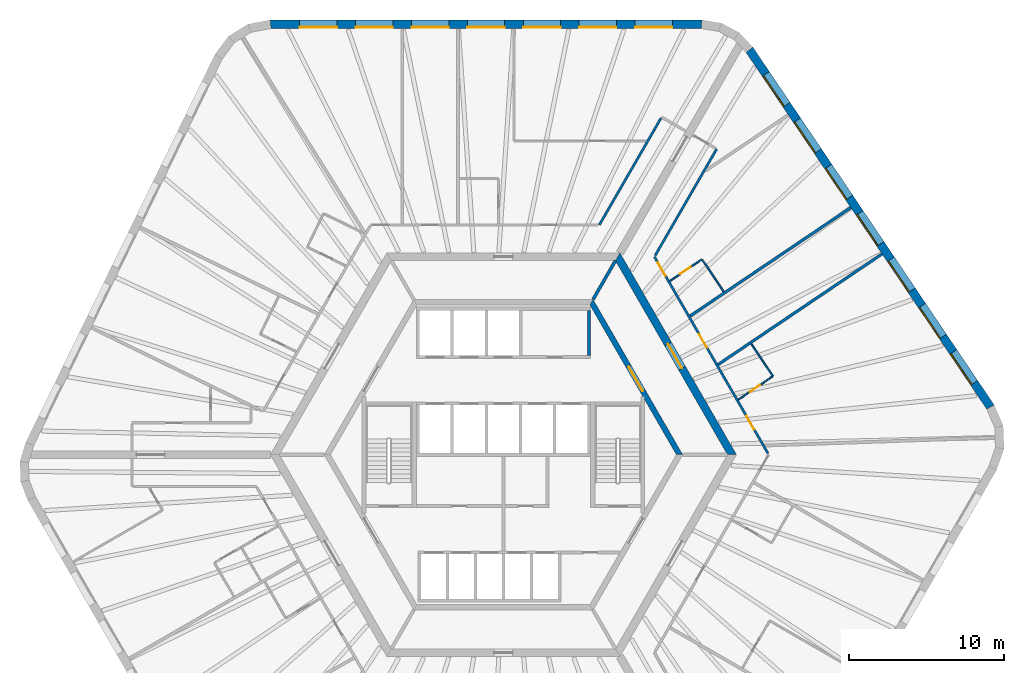
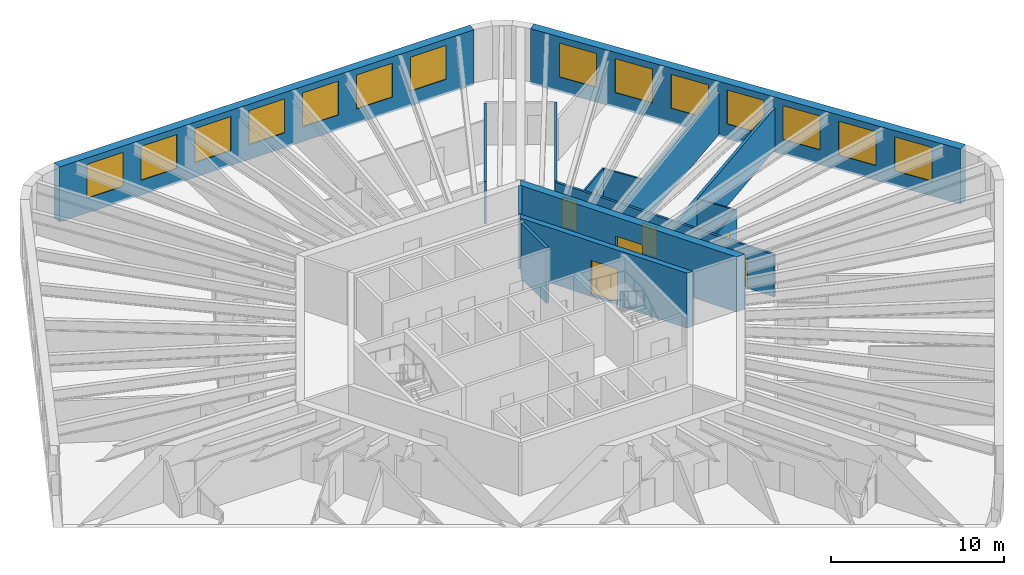
# One storey, part 8 of 10: 15 walls, 14 windows, 7 doors, 21 openings.
"""IFC4 building model written with IfcOpenShell, lengths in metres."""

from ifc_helpers import new_model, si_unit, direction, frame, frame_2d, origin, place, context, subcontext, project, spatial, polyline, rectangle, outline, extrude, material, layer, layer_set, type_object, element, fill, save


model = new_model("IFC4")

# Units and contexts
model_context = context("Model", 3, precision=1e-05, world=origin(), true_north=direction((0.0, 1.0)))
body_context = subcontext(model_context, "Body", "Model", "MODEL_VIEW")
ifc_project = project(units=[si_unit("LENGTHUNIT", "METRE"), si_unit("AREAUNIT", "SQUARE_METRE"), si_unit("VOLUMEUNIT", "CUBIC_METRE"), si_unit("PLANEANGLEUNIT", "RADIAN"), si_unit("MASSUNIT", "GRAM", prefix="KILO")], contexts=[model_context])

# Site, building, storey
site_placement = place(None, origin())
site = spatial("IfcSite", under=ifc_project, at=site_placement, CompositionType="ELEMENT")
building_placement = place(site_placement, origin())
building = spatial("IfcBuilding", under=site, at=building_placement, Name="Tarnside Tower", CompositionType="ELEMENT")
storey_placement = place(building_placement, frame((0.0, 0.0, 230.699951171875)))
storey = spatial("IfcBuildingStorey", under=building, at=storey_placement, Name="L55", CompositionType="ELEMENT", Elevation=230.699951171875)

# Wall
ifc_material_1 = material(Name="Gypsum board partition on steel studs", Category="steel")
ifc_layer_1 = layer(ifc_material_1, 0.10009765625)
ifc_layer_set_1 = layer_set([ifc_layer_1], Name="Bathroom wall 100")
wall_type_1 = type_object("IfcWallType", Name="Bathroom wall 100", PredefinedType="PARTITIONING", material=ifc_layer_set_1)
wall_1_placement = place(storey_placement, frame((15.9609375, 7.1376953125, 0.0), z_axis=(0.0, 0.0, 1.0), x_axis=(0.559158770347, -0.829060594615, 0.0)))
element("IfcWall", 1, at=wall_1_placement, inside=storey, type_object=wall_type_1, Name="Bathroom wall 18099", PredefinedType="PARTITIONING", context=body_context, shape_type="SweptSolid", body=[
    extrude(rectangle(XDim=2.51025390625, YDim=0.10009765625, at=frame_2d((1.255126953125, 0.0))), origin(), (0.0, 0.0, 1.0), 2.98779296875),
])

# Wall, opening, door
wall_2_placement = place(storey_placement, frame((17.3232421875, 5.02880859375, 0.0), z_axis=(0.0, 0.0, 1.0), x_axis=(-0.829031379595, -0.559202084802, 0.0)))
wall_2 = element("IfcWall", 2, at=wall_2_placement, inside=storey, type_object=wall_type_1, Name="Bathroom wall 18100", PredefinedType="PARTITIONING", context=body_context, shape_type="SweptSolid", body=[
    extrude(rectangle(XDim=2.6484375, YDim=0.10009765625, at=frame_2d((1.32421875, 0.0))), origin(), (0.0, 0.0, 1.0), 2.98779296875),
])
opening_1_placement = place(wall_2_placement, frame((0.949951171875, 0.0, 0.0)))
opening_1 = element("IfcOpeningElement", 3, at=opening_1_placement, cuts=wall_2, Name="Opening D-B1", PredefinedType="OPENING", context=body_context, shape_type="SweptSolid", body=[
    extrude(rectangle(XDim=0.800048828125, YDim=2.10009765625, at=frame_2d((0.39990234375, 1.050048828125))), frame((0.0, 0.06005859375, 0.0), z_axis=(0.0, -1.0, 0.0), x_axis=(1.0, 0.0, 0.0)), (0.0, 0.0, 1.0), 0.1201171875),
])
ifc_material_2 = material(Name="Timber door leaf", Category="wood")
door_type_1 = type_object("IfcDoorType", Name="Bathroom door 800", OperationType="NOTDEFINED", PredefinedType="DOOR", material=ifc_material_2)
door_1_placement = place(opening_1_placement, origin())
door_1 = element("IfcDoor", 4, at=door_1_placement, inside=storey, type_object=door_type_1, Name="Bathroom door 18031", OperationType="SINGLE_SWING_LEFT", OverallHeight=2.10009765625, OverallWidth=0.800048828125, PredefinedType="DOOR", context=body_context, shape_type="SweptSolid", body=[
    extrude(rectangle(XDim=0.800048828125, YDim=2.10009765625, at=frame_2d((0.39990234375, 1.050048828125))), frame((0.0, 0.02490234375, 0.0), z_axis=(0.0, -1.0, 0.0), x_axis=(1.0, 0.0, 0.0)), (0.0, 0.0, 1.0), 0.050048828125),
])
fill(opening_1, door_1)

wall_3_placement = place(storey_placement, frame((10.717041015625, 11.1875, 0.0), z_axis=(0.0, 0.0, 1.0), x_axis=(0.829016292589, 0.559224451024, 0.0)))
wall_3 = element("IfcWall", 5, at=wall_3_placement, inside=storey, type_object=wall_type_1, Name="Bathroom wall 18105", PredefinedType="PARTITIONING", context=body_context, shape_type="SweptSolid", body=[
    extrude(rectangle(XDim=2.49853515625, YDim=0.10009765625, at=frame_2d((1.249267578125, 0.0))), origin(), (0.0, 0.0, 1.0), 2.98779296875),
])
opening_2_placement = place(wall_3_placement, frame((0.798583984375, 0.0, 0.0)))
opening_2 = element("IfcOpeningElement", 6, at=opening_2_placement, cuts=wall_3, Name="Opening D-B1", PredefinedType="OPENING", context=body_context, shape_type="SweptSolid", body=[
    extrude(rectangle(XDim=0.800048828125, YDim=2.10009765625, at=frame_2d((0.39990234375, 1.050048828125))), frame((0.0, 0.06005859375, 0.0), z_axis=(0.0, -1.0, 0.0), x_axis=(1.0, 0.0, 0.0)), (0.0, 0.0, 1.0), 0.1201171875),
])
door_2_placement = place(opening_2_placement, origin())
door_2 = element("IfcDoor", 7, at=door_2_placement, inside=storey, type_object=door_type_1, Name="Bathroom door 18034", OperationType="SINGLE_SWING_RIGHT", OverallHeight=2.10009765625, OverallWidth=0.800048828125, PredefinedType="DOOR", context=body_context, shape_type="SweptSolid", body=[
    extrude(rectangle(XDim=0.800048828125, YDim=2.10009765625, at=frame_2d((0.39990234375, 1.050048828125))), frame((0.0, 0.02490234375, 0.0), z_axis=(0.0, -1.0, 0.0), x_axis=(1.0, 0.0, 0.0)), (0.0, 0.0, 1.0), 0.050048828125),
])
fill(opening_2, door_2)

# Wall
wall_4_placement = place(storey_placement, frame((12.81640625, 12.543212890625, 0.0), z_axis=(0.0, 0.0, 1.0), x_axis=(0.559181331227, -0.829045378015, 0.0)))
element("IfcWall", 8, at=wall_4_placement, inside=storey, type_object=wall_type_1, Name="Bathroom wall 18106", PredefinedType="PARTITIONING", context=body_context, shape_type="SweptSolid", body=[
    extrude(rectangle(XDim=2.459716796875, YDim=0.10009765625, at=frame_2d((1.22998046875, 0.0))), origin(), (0.0, 0.0, 1.0), 2.98779296875),
])

# Wall, opening, door
ifc_material_3 = material(Name="Concrete C50/60", Category="concrete")
ifc_layer_2 = layer(ifc_material_3, 0.35009765625)
ifc_layer_set_2 = layer_set([ifc_layer_2], Name="Core block wall 350 C50/60")
wall_type_2 = type_object("IfcWallType", Name="Core block wall 350 C50/60", PredefinedType="SHEAR", material=ifc_layer_set_2)
wall_5_placement = place(storey_placement, frame((11.344970703125, 0.0, -0.14990234375), z_axis=(0.0, 0.0, 1.0), x_axis=(-0.499995046907, 0.866028263435, 0.0)))
wall_5 = element("IfcWall", 9, at=wall_5_placement, inside=storey, type_object=wall_type_2, Name="L55 core block wall face 6", PredefinedType="SHEAR", context=body_context, shape_type="SweptSolid", body=[
    extrude(outline(polyline([(-0.10107421875, -0.175048828125), (11.44580078125, -0.175048828125), (11.24365234375, 0.175048828125), (0.10107421875, 0.175048828125), (-0.10107421875, -0.175048828125)])), origin(), (0.0, 0.0, 1.0), 3.89990234375),
])
opening_3_placement = place(wall_5_placement, frame((4.74365234375, 0.0, 0.14990234375)))
opening_3 = element("IfcOpeningElement", 10, at=opening_3_placement, cuts=wall_5, Name="Opening CD-LOB", PredefinedType="OPENING", context=body_context, shape_type="SweptSolid", body=[
    extrude(rectangle(XDim=1.800048828125, YDim=2.39990234375, at=frame_2d((0.89990234375, 1.199951171875))), frame((0.0, 0.18505859375, 0.0), z_axis=(0.0, -1.0, 0.0), x_axis=(1.0, 0.0, 0.0)), (0.0, 0.0, 1.0), 0.3701171875),
])
ifc_material_4 = material(Name="Steel fire door", Category="steel")
door_type_2 = type_object("IfcDoorType", Name="Lobby double door FD30S 1800x2400", OperationType="NOTDEFINED", PredefinedType="DOOR", material=ifc_material_4)
door_3_placement = place(opening_3_placement, origin())
door_3 = element("IfcDoor", 11, at=door_3_placement, inside=storey, type_object=door_type_2, Name="L55 lobby block door P2", OperationType="DOUBLE_DOOR_SINGLE_SWING", OverallHeight=2.39990234375, OverallWidth=1.800048828125, PredefinedType="DOOR", context=body_context, shape_type="SweptSolid", body=[
    extrude(rectangle(XDim=1.800048828125, YDim=2.39990234375, at=frame_2d((0.89990234375, 1.199951171875))), frame((0.0, 0.02490234375, 0.0), z_axis=(0.0, -1.0, 0.0), x_axis=(1.0, 0.0, 0.0)), (0.0, 0.0, 1.0), 0.050048828125),
])
fill(opening_3, door_3)

ifc_material_5 = material(Name="Concrete C70/85", Category="concrete")
ifc_layer_3 = layer(ifc_material_5, 0.5)
ifc_layer_set_3 = layer_set([ifc_layer_3], Name="Core wall Z2 500 C70/85")
wall_type_3 = type_object("IfcWallType", Name="Core wall Z2 500 C70/85", PredefinedType="SHEAR", material=ifc_layer_set_3)
wall_6_placement = place(storey_placement, frame((14.722412109375, 0.0, -0.14990234375), z_axis=(0.0, 0.0, 1.0), x_axis=(-0.50000571537, 0.866022103989, 0.0)))
wall_6 = element("IfcWall", 12, at=wall_6_placement, inside=storey, type_object=wall_type_3, Name="L55 core wall face 6", PredefinedType="SHEAR", context=body_context, shape_type="SweptSolid", body=[
    extrude(outline(polyline([(-0.144287109375, -0.25), (14.86669921875, -0.25), (14.578125, 0.25), (0.144287109375, 0.25), (-0.144287109375, -0.25)])), origin(), (0.0, 0.0, 1.0), 3.89990234375),
])
opening_4_placement = place(wall_6_placement, frame((6.432373046875, 0.0, 0.14990234375)))
opening_4 = element("IfcOpeningElement", 13, at=opening_4_placement, cuts=wall_6, Name="Opening CD-LOB", PredefinedType="OPENING", context=body_context, shape_type="SweptSolid", body=[
    extrude(rectangle(XDim=1.800048828125, YDim=2.39990234375, at=frame_2d((0.89990234375, 1.199951171875))), frame((0.0, 0.260009765625, 0.0), z_axis=(0.0, -1.0, 0.0), x_axis=(1.0, 0.0, 0.0)), (0.0, 0.0, 1.0), 0.52001953125),
])
door_4_placement = place(opening_4_placement, origin())
door_4 = element("IfcDoor", 14, at=door_4_placement, inside=storey, type_object=door_type_2, Name="L55 core door P2", OperationType="DOUBLE_DOOR_SINGLE_SWING", OverallHeight=2.39990234375, OverallWidth=1.800048828125, PredefinedType="DOOR", context=body_context, shape_type="SweptSolid", body=[
    extrude(rectangle(XDim=1.800048828125, YDim=2.39990234375, at=frame_2d((0.89990234375, 1.199951171875))), frame((0.0, 0.02490234375, 0.0), z_axis=(0.0, -1.0, 0.0), x_axis=(1.0, 0.0, 0.0)), (0.0, 0.0, 1.0), 0.050048828125),
])
fill(opening_4, door_4)

# Wall
ifc_layer_4 = layer(ifc_material_1, 0.14990234375)
ifc_layer_set_4 = layer_set([ifc_layer_4], Name="Corridor wall 150 EI 60")
wall_type_4 = type_object("IfcWallType", Name="Corridor wall 150 EI 60", PredefinedType="PARTITIONING", material=ifc_layer_set_4)
wall_7_placement = place(storey_placement, frame((10.148681640625, 21.677978515625, 0.0), z_axis=(0.0, 0.0, 1.0), x_axis=(-0.499997422768, -0.866026891745, 0.0)))
element("IfcWall", 15, at=wall_7_placement, inside=storey, type_object=wall_type_4, Name="Corridor wall 18001", PredefinedType="PARTITIONING", context=body_context, shape_type="SweptSolid", body=[
    extrude(rectangle(XDim=7.94189453125, YDim=0.14990234375, at=frame_2d((3.970947265625, 0.0))), origin(), (0.0, 0.0, 1.0), 2.98779296875),
])

# Wall, openings, doors
wall_8_placement = place(storey_placement, frame((17.04638671875, 0.074951171875, 0.0), z_axis=(0.0, 0.0, 1.0), x_axis=(-0.499996322767, 0.866027526826, 0.0)))
wall_8 = element("IfcWall", 16, at=wall_8_placement, inside=storey, type_object=wall_type_4, Name="Corridor wall 18042", PredefinedType="PARTITIONING", context=body_context, shape_type="SweptSolid", body=[
    extrude(rectangle(XDim=14.6357421875, YDim=0.14990234375, at=frame_2d((7.31787109375, 0.0))), origin(), (0.0, 0.0, 1.0), 2.98779296875),
])
opening_5_placement = place(wall_8_placement, frame((1.781494140625, 0.0, 0.0)))
opening_5 = element("IfcOpeningElement", 17, at=opening_5_placement, cuts=wall_8, Name="Opening D-E1", PredefinedType="OPENING", context=body_context, shape_type="SweptSolid", body=[
    extrude(rectangle(XDim=1.0, YDim=2.10009765625, at=frame_2d((0.5, 1.050048828125))), frame((0.0, 0.0849609375, 0.0), z_axis=(0.0, -1.0, 0.0), x_axis=(1.0, 0.0, 0.0)), (0.0, 0.0, 1.0), 0.169921875),
])
opening_6_placement = place(wall_8_placement, frame((7.872314453125, 0.0, 0.0)))
opening_6 = element("IfcOpeningElement", 18, at=opening_6_placement, cuts=wall_8, Name="Opening D-E1", PredefinedType="OPENING", context=body_context, shape_type="SweptSolid", body=[
    extrude(rectangle(XDim=1.0, YDim=2.10009765625, at=frame_2d((0.5, 1.050048828125))), frame((0.0, 0.0849609375, 0.0), z_axis=(0.0, -1.0, 0.0), x_axis=(1.0, 0.0, 0.0)), (0.0, 0.0, 1.0), 0.169921875),
])
opening_7_placement = place(wall_8_placement, frame((13.203125, 0.0, 0.0)))
opening_7 = element("IfcOpeningElement", 19, at=opening_7_placement, cuts=wall_8, Name="Opening D-E1", PredefinedType="OPENING", context=body_context, shape_type="SweptSolid", body=[
    extrude(rectangle(XDim=1.0, YDim=2.10009765625, at=frame_2d((0.5, 1.050048828125))), frame((0.0, 0.0849609375, 0.0), z_axis=(0.0, -1.0, 0.0), x_axis=(1.0, 0.0, 0.0)), (0.0, 0.0, 1.0), 0.169921875),
])
door_type_3 = type_object("IfcDoorType", Name="Unit entrance door 1000 FD30S", OperationType="NOTDEFINED", PredefinedType="DOOR", material=ifc_material_2)
door_5_placement = place(opening_5_placement, origin())
door_5 = element("IfcDoor", 20, at=door_5_placement, inside=storey, type_object=door_type_3, Name="Unit door 18030", OperationType="SINGLE_SWING_LEFT", OverallHeight=2.10009765625, OverallWidth=1.0, PredefinedType="DOOR", context=body_context, shape_type="SweptSolid", body=[
    extrude(rectangle(XDim=1.0, YDim=2.10009765625, at=frame_2d((0.5, 1.050048828125))), frame((0.0, 0.02490234375, 0.0), z_axis=(0.0, -1.0, 0.0), x_axis=(1.0, 0.0, 0.0)), (0.0, 0.0, 1.0), 0.050048828125),
])
fill(opening_5, door_5)
door_6_placement = place(opening_6_placement, origin())
door_6 = element("IfcDoor", 21, at=door_6_placement, inside=storey, type_object=door_type_3, Name="Unit door 18032", OperationType="SINGLE_SWING_RIGHT", OverallHeight=2.10009765625, OverallWidth=1.0, PredefinedType="DOOR", context=body_context, shape_type="SweptSolid", body=[
    extrude(rectangle(XDim=1.0, YDim=2.10009765625, at=frame_2d((0.5, 1.050048828125))), frame((0.0, 0.02490234375, 0.0), z_axis=(0.0, -1.0, 0.0), x_axis=(1.0, 0.0, 0.0)), (0.0, 0.0, 1.0), 0.050048828125),
])
fill(opening_6, door_6)
door_7_placement = place(opening_7_placement, origin())
door_7 = element("IfcDoor", 22, at=door_7_placement, inside=storey, type_object=door_type_3, Name="Unit door 18033", OperationType="SINGLE_SWING_LEFT", OverallHeight=2.10009765625, OverallWidth=1.0, PredefinedType="DOOR", context=body_context, shape_type="SweptSolid", body=[
    extrude(rectangle(XDim=1.0, YDim=2.10009765625, at=frame_2d((0.5, 1.050048828125))), frame((0.0, 0.02490234375, 0.0), z_axis=(0.0, -1.0, 0.0), x_axis=(1.0, 0.0, 0.0)), (0.0, 0.0, 1.0), 0.050048828125),
])
fill(opening_7, door_7)

# Walls
wall_9_placement = place(storey_placement, frame((9.771728515625, 12.824951171875, 0.0), z_axis=(0.0, 0.0, 1.0), x_axis=(0.499989830942, 0.866031274813, 0.0)))
element("IfcWall", 23, at=wall_9_placement, inside=storey, type_object=wall_type_4, Name="Corridor wall 18047", PredefinedType="PARTITIONING", context=body_context, shape_type="SweptSolid", body=[
    extrude(rectangle(XDim=7.930419921875, YDim=0.14990234375, at=frame_2d((3.96533203125, 0.0))), origin(), (0.0, 0.0, 1.0), 2.98779296875),
])
ifc_layer_5 = layer(ifc_material_1, 0.179931640625)
ifc_layer_set_5 = layer_set([ifc_layer_5], Name="Demising wall 180 EI 60")
wall_type_5 = type_object("IfcWallType", Name="Demising wall 180 EI 60", PredefinedType="PARTITIONING", material=ifc_layer_set_5)
wall_10_placement = place(storey_placement, frame((24.388671875, 12.9306640625, 0.0), z_axis=(0.0, 0.0, 1.0), x_axis=(-0.829037426209, -0.559193120438, 0.0)))
element("IfcWall", 24, at=wall_10_placement, inside=storey, type_object=wall_type_5, Name="Demising wall 18101", PredefinedType="PARTITIONING", context=body_context, shape_type="SweptSolid", body=[
    extrude(rectangle(XDim=12.742431640625, YDim=0.179931640625, at=frame_2d((6.37109375, 0.0))), origin(), (0.0, 0.0, 1.0), 2.98779296875),
])
wall_11_placement = place(storey_placement, frame((22.375732421875, 15.915283203125, 0.0), z_axis=(0.0, 0.0, 1.0), x_axis=(-0.829037148953, -0.559193531487, 0.0)))
element("IfcWall", 25, at=wall_11_placement, inside=storey, type_object=wall_type_5, Name="Demising wall 18103", PredefinedType="PARTITIONING", context=body_context, shape_type="SweptSolid", body=[
    extrude(rectangle(XDim=12.490966796875, YDim=0.179931640625, at=frame_2d((6.24560546875, 0.0))), origin(), (0.0, 0.0, 1.0), 2.98779296875),
])
ifc_material_6 = material(Name="Concrete C40/50", Category="concrete")
ifc_layer_6 = layer(ifc_material_6, 0.199951171875)
ifc_layer_set_6 = layer_set([ifc_layer_6], Name="Lift shaft wall 200 C40/50")
wall_type_6 = type_object("IfcWallType", Name="Lift shaft wall 200 C40/50", PredefinedType="SHEAR", material=ifc_layer_set_6)
wall_12_placement = place(storey_placement, frame((5.5, 6.39990234375, -0.25), z_axis=(0.0, 0.0, 1.0), x_axis=(0.0, 1.0, 0.0)))
element("IfcWall", 26, at=wall_12_placement, inside=storey, type_object=wall_type_6, Name="L55 lift shaft partition R16", PredefinedType="SHEAR", context=body_context, shape_type="SweptSolid", body=[
    extrude(rectangle(XDim=2.900146484375, YDim=0.199951171875, at=frame_2d((1.4501953125, 0.0))), origin(), (0.0, 0.0, 1.0), 3.900146484375),
])
wall_13_placement = place(storey_placement, frame((5.7734375, 10.0, -0.14990234375), z_axis=(0.0, 0.0, 1.0), x_axis=(0.499995765644, 0.866027848477, 0.0)))
element("IfcWall", 27, at=wall_13_placement, inside=storey, type_object=wall_type_6, Name="L55 core partition AR60", PredefinedType="SHEAR", context=body_context, shape_type="SweptSolid", body=[
    extrude(rectangle(XDim=2.88671875, YDim=0.199951171875, at=frame_2d((1.443359375, 0.0))), origin(), (0.0, 0.0, 1.0), 3.89990234375),
])

# Wall, openings, windows
ifc_material_7 = material(Name="Facing brick", Category="masonry")
ifc_layer_7 = layer(ifc_material_7, 0.10205078125)
ifc_material_8 = material(Name="Concrete C60/75 precast", Category="concrete")
ifc_layer_8 = layer(ifc_material_8, 0.347900390625)
ifc_material_9 = material(Name="Mineral wool insulation")
ifc_layer_9 = layer(ifc_material_9, 0.10009765625)
ifc_layer_set_7 = layer_set([ifc_layer_7, ifc_layer_8, ifc_layer_9], Name="Tube wall 550 brick faced")
wall_type_7 = type_object("IfcWallType", Name="Tube wall 550 brick faced", PredefinedType="SOLIDWALL", material=ifc_layer_set_7)
wall_14_placement = place(storey_placement, frame((12.760986328125, 27.72509765625, -0.14990234375), z_axis=(0.0, 0.0, 1.0), x_axis=(-1.0, 0.0, 0.0)))
wall_14 = element("IfcWall", 28, at=wall_14_placement, inside=storey, type_object=wall_type_7, Name="Tube wall L55 F1 flush 00", PredefinedType="SOLIDWALL", context=body_context, shape_type="SweptSolid", body=[
    extrude(outline(polyline([(-0.0224609375, -0.27490234375), (27.783447265625, -0.27490234375), (27.732177734375, 0.27490234375), (0.0224609375, 0.27490234375), (-0.0224609375, -0.27490234375)])), origin(), (0.0, 0.0, 1.0), 3.89990234375),
])
opening_8_placement = place(wall_14_placement, frame((1.87890625, 0.0, 1.050048828125)))
opening_8 = element("IfcOpeningElement", 29, at=opening_8_placement, cuts=wall_14, Name="Opening WH", PredefinedType="OPENING", context=body_context, shape_type="SweptSolid", body=[
    extrude(rectangle(XDim=2.39990234375, YDim=2.39990234375, at=frame_2d((1.199951171875, 1.199951171875))), frame((0.0, 0.28515625, 0.0), z_axis=(0.0, -1.0, 0.0), x_axis=(1.0, 0.0, 0.0)), (0.0, 0.0, 1.0), 0.570068359375),
])
opening_9_placement = place(wall_14_placement, frame((5.47900390625, 0.0, 1.050048828125)))
opening_9 = element("IfcOpeningElement", 30, at=opening_9_placement, cuts=wall_14, Name="Opening WH", PredefinedType="OPENING", context=body_context, shape_type="SweptSolid", body=[
    extrude(rectangle(XDim=2.39990234375, YDim=2.39990234375, at=frame_2d((1.199951171875, 1.199951171875))), frame((0.0, 0.28515625, 0.0), z_axis=(0.0, -1.0, 0.0), x_axis=(1.0, 0.0, 0.0)), (0.0, 0.0, 1.0), 0.570068359375),
])
opening_10_placement = place(wall_14_placement, frame((9.078857421875, 0.0, 1.050048828125)))
opening_10 = element("IfcOpeningElement", 31, at=opening_10_placement, cuts=wall_14, Name="Opening WH", PredefinedType="OPENING", context=body_context, shape_type="SweptSolid", body=[
    extrude(rectangle(XDim=2.39990234375, YDim=2.39990234375, at=frame_2d((1.199951171875, 1.199951171875))), frame((0.0, 0.28515625, 0.0), z_axis=(0.0, -1.0, 0.0), x_axis=(1.0, 0.0, 0.0)), (0.0, 0.0, 1.0), 0.570068359375),
])
opening_11_placement = place(wall_14_placement, frame((12.678955078125, 0.0, 1.050048828125)))
opening_11 = element("IfcOpeningElement", 32, at=opening_11_placement, cuts=wall_14, Name="Opening WH", PredefinedType="OPENING", context=body_context, shape_type="SweptSolid", body=[
    extrude(rectangle(XDim=2.39990234375, YDim=2.39990234375, at=frame_2d((1.199951171875, 1.199951171875))), frame((0.0, 0.28515625, 0.0), z_axis=(0.0, -1.0, 0.0), x_axis=(1.0, 0.0, 0.0)), (0.0, 0.0, 1.0), 0.570068359375),
])
opening_12_placement = place(wall_14_placement, frame((16.27880859375, 0.0, 1.050048828125)))
opening_12 = element("IfcOpeningElement", 33, at=opening_12_placement, cuts=wall_14, Name="Opening WH", PredefinedType="OPENING", context=body_context, shape_type="SweptSolid", body=[
    extrude(rectangle(XDim=2.39990234375, YDim=2.39990234375, at=frame_2d((1.199951171875, 1.199951171875))), frame((0.0, 0.28515625, 0.0), z_axis=(0.0, -1.0, 0.0), x_axis=(1.0, 0.0, 0.0)), (0.0, 0.0, 1.0), 0.570068359375),
])
opening_13_placement = place(wall_14_placement, frame((19.87890625, 0.0, 1.050048828125)))
opening_13 = element("IfcOpeningElement", 34, at=opening_13_placement, cuts=wall_14, Name="Opening WH", PredefinedType="OPENING", context=body_context, shape_type="SweptSolid", body=[
    extrude(rectangle(XDim=2.39990234375, YDim=2.39990234375, at=frame_2d((1.199951171875, 1.199951171875))), frame((0.0, 0.28515625, 0.0), z_axis=(0.0, -1.0, 0.0), x_axis=(1.0, 0.0, 0.0)), (0.0, 0.0, 1.0), 0.570068359375),
])
opening_14_placement = place(wall_14_placement, frame((23.47900390625, 0.0, 1.050048828125)))
opening_14 = element("IfcOpeningElement", 35, at=opening_14_placement, cuts=wall_14, Name="Opening WH", PredefinedType="OPENING", context=body_context, shape_type="SweptSolid", body=[
    extrude(rectangle(XDim=2.39990234375, YDim=2.39990234375, at=frame_2d((1.199951171875, 1.199951171875))), frame((0.0, 0.28515625, 0.0), z_axis=(0.0, -1.0, 0.0), x_axis=(1.0, 0.0, 0.0)), (0.0, 0.0, 1.0), 0.570068359375),
])
ifc_material_10 = material(Name="Aluminium-framed double glazing", Category="aluminium")
window_type = type_object("IfcWindowType", Name="Hotel window 2400 x 2400", PartitioningType="DOUBLE_PANEL_VERTICAL", PredefinedType="WINDOW", material=ifc_material_10)
window_1_placement = place(opening_8_placement, frame((0.0, 0.205078125, 0.0)))
window_1 = element("IfcWindow", 36, at=window_1_placement, inside=storey, type_object=window_type, Name="E.WN.L55.F1.00", OverallHeight=2.39990234375, OverallWidth=2.39990234375, PartitioningType="DOUBLE_PANEL_VERTICAL", PredefinedType="WINDOW", context=body_context, shape_type="SweptSolid", body=[
    extrude(rectangle(XDim=2.39990234375, YDim=2.39990234375, at=frame_2d((1.199951171875, 1.199951171875))), frame((0.0, 0.030029296875, 0.0), z_axis=(0.0, -1.0, 0.0), x_axis=(1.0, 0.0, 0.0)), (0.0, 0.0, 1.0), 0.06005859375),
])
fill(opening_8, window_1)
window_2_placement = place(opening_9_placement, frame((0.0, 0.205078125, 0.0)))
window_2 = element("IfcWindow", 37, at=window_2_placement, inside=storey, type_object=window_type, Name="E.WN.L55.F1.01", OverallHeight=2.39990234375, OverallWidth=2.39990234375, PartitioningType="DOUBLE_PANEL_VERTICAL", PredefinedType="WINDOW", context=body_context, shape_type="SweptSolid", body=[
    extrude(rectangle(XDim=2.39990234375, YDim=2.39990234375, at=frame_2d((1.199951171875, 1.199951171875))), frame((0.0, 0.030029296875, 0.0), z_axis=(0.0, -1.0, 0.0), x_axis=(1.0, 0.0, 0.0)), (0.0, 0.0, 1.0), 0.06005859375),
])
fill(opening_9, window_2)
window_3_placement = place(opening_10_placement, frame((0.0, 0.205078125, 0.0)))
window_3 = element("IfcWindow", 38, at=window_3_placement, inside=storey, type_object=window_type, Name="E.WN.L55.F1.02", OverallHeight=2.39990234375, OverallWidth=2.39990234375, PartitioningType="DOUBLE_PANEL_VERTICAL", PredefinedType="WINDOW", context=body_context, shape_type="SweptSolid", body=[
    extrude(rectangle(XDim=2.39990234375, YDim=2.39990234375, at=frame_2d((1.199951171875, 1.199951171875))), frame((0.0, 0.030029296875, 0.0), z_axis=(0.0, -1.0, 0.0), x_axis=(1.0, 0.0, 0.0)), (0.0, 0.0, 1.0), 0.06005859375),
])
fill(opening_10, window_3)
window_4_placement = place(opening_11_placement, frame((0.0, 0.205078125, 0.0)))
window_4 = element("IfcWindow", 39, at=window_4_placement, inside=storey, type_object=window_type, Name="E.WN.L55.F1.03", OverallHeight=2.39990234375, OverallWidth=2.39990234375, PartitioningType="DOUBLE_PANEL_VERTICAL", PredefinedType="WINDOW", context=body_context, shape_type="SweptSolid", body=[
    extrude(rectangle(XDim=2.39990234375, YDim=2.39990234375, at=frame_2d((1.199951171875, 1.199951171875))), frame((0.0, 0.030029296875, 0.0), z_axis=(0.0, -1.0, 0.0), x_axis=(1.0, 0.0, 0.0)), (0.0, 0.0, 1.0), 0.06005859375),
])
fill(opening_11, window_4)
window_5_placement = place(opening_12_placement, frame((0.0, 0.205078125, 0.0)))
window_5 = element("IfcWindow", 40, at=window_5_placement, inside=storey, type_object=window_type, Name="E.WN.L55.F1.04", OverallHeight=2.39990234375, OverallWidth=2.39990234375, PartitioningType="DOUBLE_PANEL_VERTICAL", PredefinedType="WINDOW", context=body_context, shape_type="SweptSolid", body=[
    extrude(rectangle(XDim=2.39990234375, YDim=2.39990234375, at=frame_2d((1.199951171875, 1.199951171875))), frame((0.0, 0.030029296875, 0.0), z_axis=(0.0, -1.0, 0.0), x_axis=(1.0, 0.0, 0.0)), (0.0, 0.0, 1.0), 0.06005859375),
])
fill(opening_12, window_5)
window_6_placement = place(opening_13_placement, frame((0.0, 0.205078125, 0.0)))
window_6 = element("IfcWindow", 41, at=window_6_placement, inside=storey, type_object=window_type, Name="E.WN.L55.F1.05", OverallHeight=2.39990234375, OverallWidth=2.39990234375, PartitioningType="DOUBLE_PANEL_VERTICAL", PredefinedType="WINDOW", context=body_context, shape_type="SweptSolid", body=[
    extrude(rectangle(XDim=2.39990234375, YDim=2.39990234375, at=frame_2d((1.199951171875, 1.199951171875))), frame((0.0, 0.030029296875, 0.0), z_axis=(0.0, -1.0, 0.0), x_axis=(1.0, 0.0, 0.0)), (0.0, 0.0, 1.0), 0.06005859375),
])
fill(opening_13, window_6)
window_7_placement = place(opening_14_placement, frame((0.0, 0.205078125, 0.0)))
window_7 = element("IfcWindow", 42, at=window_7_placement, inside=storey, type_object=window_type, Name="E.WN.L55.F1.06", OverallHeight=2.39990234375, OverallWidth=2.39990234375, PartitioningType="DOUBLE_PANEL_VERTICAL", PredefinedType="WINDOW", context=body_context, shape_type="SweptSolid", body=[
    extrude(rectangle(XDim=2.39990234375, YDim=2.39990234375, at=frame_2d((1.199951171875, 1.199951171875))), frame((0.0, 0.030029296875, 0.0), z_axis=(0.0, -1.0, 0.0), x_axis=(1.0, 0.0, 0.0)), (0.0, 0.0, 1.0), 0.06005859375),
])
fill(opening_14, window_7)

wall_15_placement = place(storey_placement, frame((31.37109375, 3.070556640625, -0.14990234375), z_axis=(0.0, 0.0, 1.0), x_axis=(-0.559189891278, 0.829039604297, 0.0)))
wall_15 = element("IfcWall", 43, at=wall_15_placement, inside=storey, type_object=wall_type_7, Name="Tube wall L55 F6 flush 20", PredefinedType="SOLIDWALL", context=body_context, shape_type="SweptSolid", body=[
    extrude(outline(polyline([(-0.025634765625, -0.27490234375), (27.780517578125, -0.27490234375), (27.735595703125, 0.27490234375), (0.025634765625, 0.27490234375), (-0.025634765625, -0.27490234375)])), origin(), (0.0, 0.0, 1.0), 3.89990234375),
])
opening_15_placement = place(wall_15_placement, frame((1.87890625, 0.0, 1.050048828125)))
opening_15 = element("IfcOpeningElement", 44, at=opening_15_placement, cuts=wall_15, Name="Opening WH", PredefinedType="OPENING", context=body_context, shape_type="SweptSolid", body=[
    extrude(rectangle(XDim=2.39990234375, YDim=2.39990234375, at=frame_2d((1.199951171875, 1.199951171875))), frame((0.0, 0.28515625, 0.0), z_axis=(0.0, -1.0, 0.0), x_axis=(1.0, 0.0, 0.0)), (0.0, 0.0, 1.0), 0.570068359375),
])
opening_16_placement = place(wall_15_placement, frame((5.47900390625, 0.0, 1.050048828125)))
opening_16 = element("IfcOpeningElement", 45, at=opening_16_placement, cuts=wall_15, Name="Opening WH", PredefinedType="OPENING", context=body_context, shape_type="SweptSolid", body=[
    extrude(rectangle(XDim=2.39990234375, YDim=2.39990234375, at=frame_2d((1.199951171875, 1.199951171875))), frame((0.0, 0.28515625, 0.0), z_axis=(0.0, -1.0, 0.0), x_axis=(1.0, 0.0, 0.0)), (0.0, 0.0, 1.0), 0.570068359375),
])
opening_17_placement = place(wall_15_placement, frame((9.078857421875, 0.0, 1.050048828125)))
opening_17 = element("IfcOpeningElement", 46, at=opening_17_placement, cuts=wall_15, Name="Opening WH", PredefinedType="OPENING", context=body_context, shape_type="SweptSolid", body=[
    extrude(rectangle(XDim=2.39990234375, YDim=2.39990234375, at=frame_2d((1.199951171875, 1.199951171875))), frame((0.0, 0.28515625, 0.0), z_axis=(0.0, -1.0, 0.0), x_axis=(1.0, 0.0, 0.0)), (0.0, 0.0, 1.0), 0.570068359375),
])
opening_18_placement = place(wall_15_placement, frame((12.678955078125, 0.0, 1.050048828125)))
opening_18 = element("IfcOpeningElement", 47, at=opening_18_placement, cuts=wall_15, Name="Opening WH", PredefinedType="OPENING", context=body_context, shape_type="SweptSolid", body=[
    extrude(rectangle(XDim=2.39990234375, YDim=2.39990234375, at=frame_2d((1.199951171875, 1.199951171875))), frame((0.0, 0.28515625, 0.0), z_axis=(0.0, -1.0, 0.0), x_axis=(1.0, 0.0, 0.0)), (0.0, 0.0, 1.0), 0.570068359375),
])
opening_19_placement = place(wall_15_placement, frame((16.27880859375, 0.0, 1.050048828125)))
opening_19 = element("IfcOpeningElement", 48, at=opening_19_placement, cuts=wall_15, Name="Opening WH", PredefinedType="OPENING", context=body_context, shape_type="SweptSolid", body=[
    extrude(rectangle(XDim=2.39990234375, YDim=2.39990234375, at=frame_2d((1.199951171875, 1.199951171875))), frame((0.0, 0.28515625, 0.0), z_axis=(0.0, -1.0, 0.0), x_axis=(1.0, 0.0, 0.0)), (0.0, 0.0, 1.0), 0.570068359375),
])
opening_20_placement = place(wall_15_placement, frame((19.87890625, 0.0, 1.050048828125)))
opening_20 = element("IfcOpeningElement", 49, at=opening_20_placement, cuts=wall_15, Name="Opening WH", PredefinedType="OPENING", context=body_context, shape_type="SweptSolid", body=[
    extrude(rectangle(XDim=2.39990234375, YDim=2.39990234375, at=frame_2d((1.199951171875, 1.199951171875))), frame((0.0, 0.28515625, 0.0), z_axis=(0.0, -1.0, 0.0), x_axis=(1.0, 0.0, 0.0)), (0.0, 0.0, 1.0), 0.570068359375),
])
opening_21_placement = place(wall_15_placement, frame((23.47900390625, 0.0, 1.050048828125)))
opening_21 = element("IfcOpeningElement", 50, at=opening_21_placement, cuts=wall_15, Name="Opening WH", PredefinedType="OPENING", context=body_context, shape_type="SweptSolid", body=[
    extrude(rectangle(XDim=2.39990234375, YDim=2.39990234375, at=frame_2d((1.199951171875, 1.199951171875))), frame((0.0, 0.28515625, 0.0), z_axis=(0.0, -1.0, 0.0), x_axis=(1.0, 0.0, 0.0)), (0.0, 0.0, 1.0), 0.570068359375),
])
window_8_placement = place(opening_15_placement, frame((0.0, 0.205078125, 0.0)))
window_8 = element("IfcWindow", 51, at=window_8_placement, inside=storey, type_object=window_type, Name="E.WN.L55.F6.00", OverallHeight=2.39990234375, OverallWidth=2.39990234375, PartitioningType="DOUBLE_PANEL_VERTICAL", PredefinedType="WINDOW", context=body_context, shape_type="SweptSolid", body=[
    extrude(rectangle(XDim=2.39990234375, YDim=2.39990234375, at=frame_2d((1.199951171875, 1.199951171875))), frame((0.0, 0.030029296875, 0.0), z_axis=(0.0, -1.0, 0.0), x_axis=(1.0, 0.0, 0.0)), (0.0, 0.0, 1.0), 0.06005859375),
])
fill(opening_15, window_8)
window_9_placement = place(opening_16_placement, frame((0.0, 0.205078125, 0.0)))
window_9 = element("IfcWindow", 52, at=window_9_placement, inside=storey, type_object=window_type, Name="E.WN.L55.F6.01", OverallHeight=2.39990234375, OverallWidth=2.39990234375, PartitioningType="DOUBLE_PANEL_VERTICAL", PredefinedType="WINDOW", context=body_context, shape_type="SweptSolid", body=[
    extrude(rectangle(XDim=2.39990234375, YDim=2.39990234375, at=frame_2d((1.199951171875, 1.199951171875))), frame((0.0, 0.030029296875, 0.0), z_axis=(0.0, -1.0, 0.0), x_axis=(1.0, 0.0, 0.0)), (0.0, 0.0, 1.0), 0.06005859375),
])
fill(opening_16, window_9)
window_10_placement = place(opening_17_placement, frame((0.0, 0.205078125, 0.0)))
window_10 = element("IfcWindow", 53, at=window_10_placement, inside=storey, type_object=window_type, Name="E.WN.L55.F6.02", OverallHeight=2.39990234375, OverallWidth=2.39990234375, PartitioningType="DOUBLE_PANEL_VERTICAL", PredefinedType="WINDOW", context=body_context, shape_type="SweptSolid", body=[
    extrude(rectangle(XDim=2.39990234375, YDim=2.39990234375, at=frame_2d((1.199951171875, 1.199951171875))), frame((0.0, 0.030029296875, 0.0), z_axis=(0.0, -1.0, 0.0), x_axis=(1.0, 0.0, 0.0)), (0.0, 0.0, 1.0), 0.06005859375),
])
fill(opening_17, window_10)
window_11_placement = place(opening_18_placement, frame((0.0, 0.205078125, 0.0)))
window_11 = element("IfcWindow", 54, at=window_11_placement, inside=storey, type_object=window_type, Name="E.WN.L55.F6.03", OverallHeight=2.39990234375, OverallWidth=2.39990234375, PartitioningType="DOUBLE_PANEL_VERTICAL", PredefinedType="WINDOW", context=body_context, shape_type="SweptSolid", body=[
    extrude(rectangle(XDim=2.39990234375, YDim=2.39990234375, at=frame_2d((1.199951171875, 1.199951171875))), frame((0.0, 0.030029296875, 0.0), z_axis=(0.0, -1.0, 0.0), x_axis=(1.0, 0.0, 0.0)), (0.0, 0.0, 1.0), 0.06005859375),
])
fill(opening_18, window_11)
window_12_placement = place(opening_19_placement, frame((0.0, 0.205078125, 0.0)))
window_12 = element("IfcWindow", 55, at=window_12_placement, inside=storey, type_object=window_type, Name="E.WN.L55.F6.04", OverallHeight=2.39990234375, OverallWidth=2.39990234375, PartitioningType="DOUBLE_PANEL_VERTICAL", PredefinedType="WINDOW", context=body_context, shape_type="SweptSolid", body=[
    extrude(rectangle(XDim=2.39990234375, YDim=2.39990234375, at=frame_2d((1.199951171875, 1.199951171875))), frame((0.0, 0.030029296875, 0.0), z_axis=(0.0, -1.0, 0.0), x_axis=(1.0, 0.0, 0.0)), (0.0, 0.0, 1.0), 0.06005859375),
])
fill(opening_19, window_12)
window_13_placement = place(opening_20_placement, frame((0.0, 0.205078125, 0.0)))
window_13 = element("IfcWindow", 56, at=window_13_placement, inside=storey, type_object=window_type, Name="E.WN.L55.F6.05", OverallHeight=2.39990234375, OverallWidth=2.39990234375, PartitioningType="DOUBLE_PANEL_VERTICAL", PredefinedType="WINDOW", context=body_context, shape_type="SweptSolid", body=[
    extrude(rectangle(XDim=2.39990234375, YDim=2.39990234375, at=frame_2d((1.199951171875, 1.199951171875))), frame((0.0, 0.030029296875, 0.0), z_axis=(0.0, -1.0, 0.0), x_axis=(1.0, 0.0, 0.0)), (0.0, 0.0, 1.0), 0.06005859375),
])
fill(opening_20, window_13)
window_14_placement = place(opening_21_placement, frame((0.0, 0.205078125, 0.0)))
window_14 = element("IfcWindow", 57, at=window_14_placement, inside=storey, type_object=window_type, Name="E.WN.L55.F6.06", OverallHeight=2.39990234375, OverallWidth=2.39990234375, PartitioningType="DOUBLE_PANEL_VERTICAL", PredefinedType="WINDOW", context=body_context, shape_type="SweptSolid", body=[
    extrude(rectangle(XDim=2.39990234375, YDim=2.39990234375, at=frame_2d((1.199951171875, 1.199951171875))), frame((0.0, 0.030029296875, 0.0), z_axis=(0.0, -1.0, 0.0), x_axis=(1.0, 0.0, 0.0)), (0.0, 0.0, 1.0), 0.06005859375),
])
fill(opening_21, window_14)

save(model, "model.ifc")
